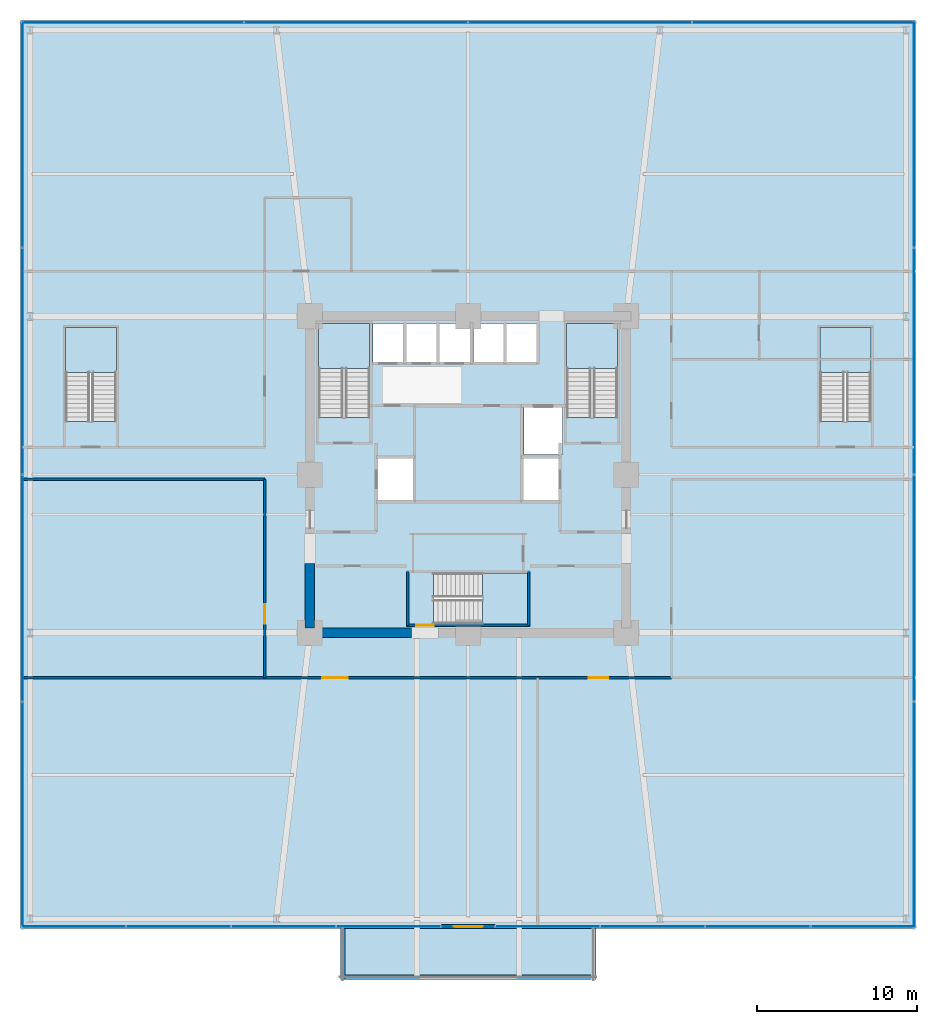
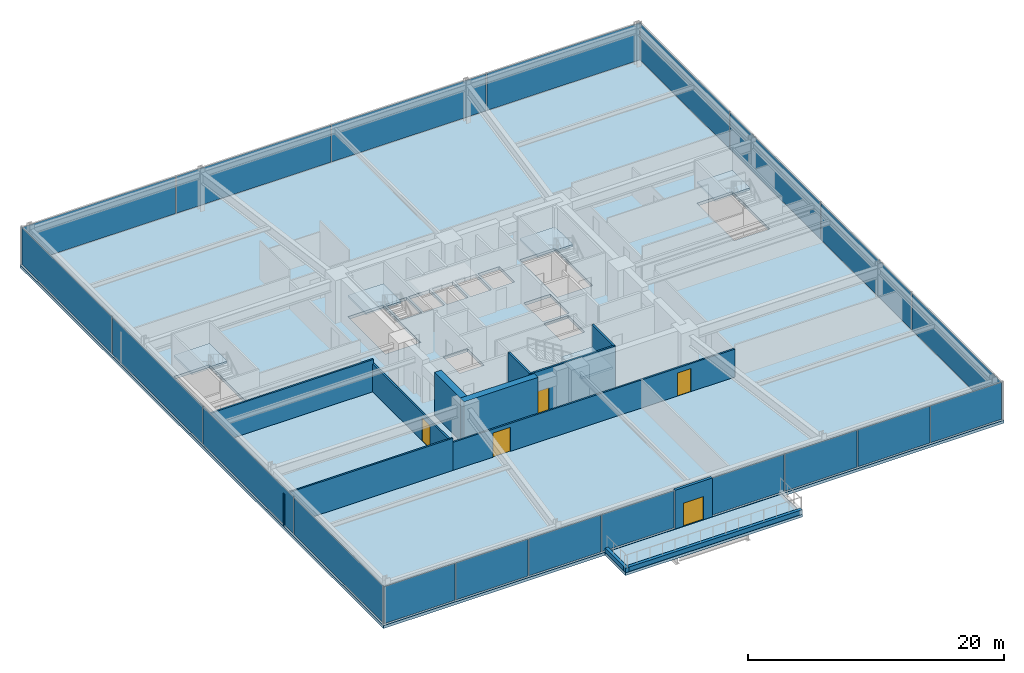
# One storey, part 33 of 39: 20 plates, 12 walls, 7 slabs, 5 doors, 5 openings, 10 elements without a shape of their own.
"""IFC4 building model written with IfcOpenShell, lengths in metres."""

from ifc_helpers import new_model, si_unit, direction, frame, frame_2d, origin, origin_2d, place, context, subcontext, project, spatial, polyline, rectangle, outline, extrude, material, layer, layer_set, type_object, element, fill, aggregate, save


model = new_model("IFC4")

# Units and contexts
model_context = context("Model", 3, precision=1e-05, world=origin(), true_north=direction((0.0, 1.0)))
body_context = subcontext(model_context, "Body", "Model", "MODEL_VIEW")
ifc_project = project(units=[si_unit("LENGTHUNIT", "METRE"), si_unit("AREAUNIT", "SQUARE_METRE"), si_unit("VOLUMEUNIT", "CUBIC_METRE"), si_unit("PLANEANGLEUNIT", "RADIAN"), si_unit("MASSUNIT", "GRAM", prefix="KILO")], contexts=[model_context])

# Site, building, storey
site_placement = place(None, origin())
site = spatial("IfcSite", under=ifc_project, at=site_placement, CompositionType="ELEMENT")
building_placement = place(site_placement, origin())
building = spatial("IfcBuilding", under=site, at=building_placement, Name="Kolvaren Belvedere", CompositionType="ELEMENT")
storey_placement = place(building_placement, frame((0.0, 0.0, 15.199951171875)))
storey = spatial("IfcBuildingStorey", under=building, at=storey_placement, Name="L04", CompositionType="ELEMENT", Elevation=15.199951171875)

# Curtain wall, plates
ifc_material_1 = material(Name="Anodised pale-metal aluminium AA 6063-T6", Category="aluminium")
curtain_wall_type = type_object("IfcCurtainWallType", Name="CW-POD-A", PredefinedType="NOTDEFINED", material=ifc_material_1)
curtain_wall_1_placement = place(storey_placement, origin())
curtain_wall_1 = element("IfcCurtainWall", 1, at=curtain_wall_1_placement, inside=storey, type_object=curtain_wall_type, Name="L04 Unitised Curtain Wall FCW-L04-S1", PredefinedType="NOTDEFINED")
ifc_material_2 = material(Name="Low-iron laminated vision glass", Category="glass")
ifc_layer_1 = layer(ifc_material_2, 0.031982421875)
ifc_layer_set_1 = layer_set([ifc_layer_1], Name="Low-iron laminated vision glass")
plate_type = type_object("IfcPlateType", Name="CW-PNL-VIS32", PredefinedType="CURTAIN_PANEL", material=ifc_layer_set_1)
plate_1_placement = place(storey_placement, frame((24.7099609375, -28.280029296875, 0.080078125), z_axis=(0.0, 0.0, 1.0), x_axis=(-1.0, 0.0, 0.0)))
plate_1 = element("IfcPlate", 2, at=plate_1_placement, type_object=plate_type, Name="FCW-L04-S1 Vision Glazing Panel 1", PredefinedType="CURTAIN_PANEL", context=body_context, shape_type="SweptSolid", body=[
    extrude(rectangle(XDim=6.5, YDim=0.031982421875, at=origin_2d()), origin(), (0.0, 0.0, 1.0), 3.5400390625),
])
plate_2_placement = place(storey_placement, frame((18.1298828125, -28.280029296875, 0.080078125), z_axis=(0.0, 0.0, 1.0), x_axis=(-1.0, 0.0, 0.0)))
plate_2 = element("IfcPlate", 3, at=plate_2_placement, type_object=plate_type, Name="FCW-L04-S1 Vision Glazing Panel 2", PredefinedType="CURTAIN_PANEL", context=body_context, shape_type="SweptSolid", body=[
    extrude(rectangle(XDim=6.5, YDim=0.031982421875, at=origin_2d()), origin(), (0.0, 0.0, 1.0), 3.5400390625),
])
plate_3_placement = place(storey_placement, frame((11.550048828125, -28.280029296875, 0.080078125), z_axis=(0.0, 0.0, 1.0), x_axis=(-1.0, 0.0, 0.0)))
plate_3 = element("IfcPlate", 4, at=plate_3_placement, type_object=plate_type, Name="FCW-L04-S1 Vision Glazing Panel 3", PredefinedType="CURTAIN_PANEL", context=body_context, shape_type="SweptSolid", body=[
    extrude(rectangle(XDim=6.5, YDim=0.031982421875, at=origin_2d()), origin(), (0.0, 0.0, 1.0), 3.5400390625),
])
plate_4_placement = place(storey_placement, frame((4.969970703125, -28.280029296875, 0.080078125), z_axis=(0.0, 0.0, 1.0), x_axis=(-1.0, 0.0, 0.0)))
plate_4 = element("IfcPlate", 5, at=plate_4_placement, type_object=plate_type, Name="FCW-L04-S1 Vision Glazing Panel 4", PredefinedType="CURTAIN_PANEL", context=body_context, shape_type="SweptSolid", body=[
    extrude(rectangle(XDim=6.5, YDim=0.031982421875, at=origin_2d()), origin(), (0.0, 0.0, 1.0), 3.5400390625),
])
aggregate(curtain_wall_1, [plate_1, plate_2, plate_3, plate_4])

curtain_wall_2_placement = place(storey_placement, origin())
curtain_wall_2 = element("IfcCurtainWall", 6, at=curtain_wall_2_placement, inside=storey, type_object=curtain_wall_type, Name="L04 Unitised Curtain Wall FCW-L04-S2", PredefinedType="NOTDEFINED")
plate_5_placement = place(storey_placement, frame((-4.969970703125, -28.280029296875, 0.080078125), z_axis=(0.0, 0.0, 1.0), x_axis=(-1.0, 0.0, 0.0)))
plate_5 = element("IfcPlate", 7, at=plate_5_placement, type_object=plate_type, Name="FCW-L04-S2 Vision Glazing Panel 1", PredefinedType="CURTAIN_PANEL", context=body_context, shape_type="SweptSolid", body=[
    extrude(rectangle(XDim=6.5, YDim=0.031982421875, at=origin_2d()), origin(), (0.0, 0.0, 1.0), 3.5400390625),
])
plate_6_placement = place(storey_placement, frame((-11.550048828125, -28.280029296875, 0.080078125), z_axis=(0.0, 0.0, 1.0), x_axis=(-1.0, 0.0, 0.0)))
plate_6 = element("IfcPlate", 8, at=plate_6_placement, type_object=plate_type, Name="FCW-L04-S2 Vision Glazing Panel 2", PredefinedType="CURTAIN_PANEL", context=body_context, shape_type="SweptSolid", body=[
    extrude(rectangle(XDim=6.5, YDim=0.031982421875, at=origin_2d()), origin(), (0.0, 0.0, 1.0), 3.5400390625),
])
plate_7_placement = place(storey_placement, frame((-18.1298828125, -28.280029296875, 0.080078125), z_axis=(0.0, 0.0, 1.0), x_axis=(-1.0, 0.0, 0.0)))
plate_7 = element("IfcPlate", 9, at=plate_7_placement, type_object=plate_type, Name="FCW-L04-S2 Vision Glazing Panel 3", PredefinedType="CURTAIN_PANEL", context=body_context, shape_type="SweptSolid", body=[
    extrude(rectangle(XDim=6.5, YDim=0.031982421875, at=origin_2d()), origin(), (0.0, 0.0, 1.0), 3.5400390625),
])
plate_8_placement = place(storey_placement, frame((-24.7099609375, -28.280029296875, 0.080078125), z_axis=(0.0, 0.0, 1.0), x_axis=(-1.0, 0.0, 0.0)))
plate_8 = element("IfcPlate", 10, at=plate_8_placement, type_object=plate_type, Name="FCW-L04-S2 Vision Glazing Panel 4", PredefinedType="CURTAIN_PANEL", context=body_context, shape_type="SweptSolid", body=[
    extrude(rectangle(XDim=6.5, YDim=0.031982421875, at=origin_2d()), origin(), (0.0, 0.0, 1.0), 3.5400390625),
])
aggregate(curtain_wall_2, [plate_5, plate_6, plate_7, plate_8])

curtain_wall_3_placement = place(storey_placement, origin())
curtain_wall_3 = element("IfcCurtainWall", 11, at=curtain_wall_3_placement, inside=storey, type_object=curtain_wall_type, Name="L04 Unitised Curtain Wall FCW-L04-E", PredefinedType="NOTDEFINED")
plate_9_placement = place(storey_placement, frame((27.8798828125, 21.300048828125, 0.080078125), z_axis=(0.0, 0.0, 1.0), x_axis=(0.0, -1.0, 0.0)))
plate_9 = element("IfcPlate", 12, at=plate_9_placement, type_object=plate_type, Name="FCW-L04-E Vision Glazing Panel 1", PredefinedType="CURTAIN_PANEL", context=body_context, shape_type="SweptSolid", body=[
    extrude(rectangle(XDim=14.1201171875, YDim=0.031982421875, at=origin_2d()), origin(), (0.0, 0.0, 1.0), 3.5400390625),
])
plate_10_placement = place(storey_placement, frame((27.8798828125, 7.10009765625, 0.080078125), z_axis=(0.0, 0.0, 1.0), x_axis=(0.0, -1.0, 0.0)))
plate_10 = element("IfcPlate", 13, at=plate_10_placement, type_object=plate_type, Name="FCW-L04-E Vision Glazing Panel 2", PredefinedType="CURTAIN_PANEL", context=body_context, shape_type="SweptSolid", body=[
    extrude(rectangle(XDim=14.1201171875, YDim=0.031982421875, at=origin_2d()), origin(), (0.0, 0.0, 1.0), 3.5400390625),
])
plate_11_placement = place(storey_placement, frame((27.8798828125, -7.10009765625, 0.080078125), z_axis=(0.0, 0.0, 1.0), x_axis=(0.0, -1.0, 0.0)))
plate_11 = element("IfcPlate", 14, at=plate_11_placement, type_object=plate_type, Name="FCW-L04-E Vision Glazing Panel 3", PredefinedType="CURTAIN_PANEL", context=body_context, shape_type="SweptSolid", body=[
    extrude(rectangle(XDim=14.1201171875, YDim=0.031982421875, at=origin_2d()), origin(), (0.0, 0.0, 1.0), 3.5400390625),
])
plate_12_placement = place(storey_placement, frame((27.8798828125, -21.300048828125, 0.080078125), z_axis=(0.0, 0.0, 1.0), x_axis=(0.0, -1.0, 0.0)))
plate_12 = element("IfcPlate", 15, at=plate_12_placement, type_object=plate_type, Name="FCW-L04-E Vision Glazing Panel 4", PredefinedType="CURTAIN_PANEL", context=body_context, shape_type="SweptSolid", body=[
    extrude(rectangle(XDim=14.1201171875, YDim=0.031982421875, at=origin_2d()), origin(), (0.0, 0.0, 1.0), 3.5400390625),
])
aggregate(curtain_wall_3, [plate_9, plate_10, plate_11, plate_12])

curtain_wall_4_placement = place(storey_placement, origin())
curtain_wall_4 = element("IfcCurtainWall", 16, at=curtain_wall_4_placement, inside=storey, type_object=curtain_wall_type, Name="L04 Unitised Curtain Wall FCW-L04-N", PredefinedType="NOTDEFINED")
plate_13_placement = place(storey_placement, frame((-21.0, 28.280029296875, 0.080078125), z_axis=(0.0, 0.0, 1.0), x_axis=(1.0, 0.0, 0.0)))
plate_13 = element("IfcPlate", 17, at=plate_13_placement, type_object=plate_type, Name="FCW-L04-N Vision Glazing Panel 1", PredefinedType="CURTAIN_PANEL", context=body_context, shape_type="SweptSolid", body=[
    extrude(rectangle(XDim=13.919921875, YDim=0.031982421875, at=origin_2d()), origin(), (0.0, 0.0, 1.0), 3.5400390625),
])
plate_14_placement = place(storey_placement, frame((-7.0, 28.280029296875, 0.080078125), z_axis=(0.0, 0.0, 1.0), x_axis=(1.0, 0.0, 0.0)))
plate_14 = element("IfcPlate", 18, at=plate_14_placement, type_object=plate_type, Name="FCW-L04-N Vision Glazing Panel 2", PredefinedType="CURTAIN_PANEL", context=body_context, shape_type="SweptSolid", body=[
    extrude(rectangle(XDim=13.919921875, YDim=0.031982421875, at=origin_2d()), origin(), (0.0, 0.0, 1.0), 3.5400390625),
])
plate_15_placement = place(storey_placement, frame((7.0, 28.280029296875, 0.080078125), z_axis=(0.0, 0.0, 1.0), x_axis=(1.0, 0.0, 0.0)))
plate_15 = element("IfcPlate", 19, at=plate_15_placement, type_object=plate_type, Name="FCW-L04-N Vision Glazing Panel 3", PredefinedType="CURTAIN_PANEL", context=body_context, shape_type="SweptSolid", body=[
    extrude(rectangle(XDim=13.919921875, YDim=0.031982421875, at=origin_2d()), origin(), (0.0, 0.0, 1.0), 3.5400390625),
])
plate_16_placement = place(storey_placement, frame((21.0, 28.280029296875, 0.080078125), z_axis=(0.0, 0.0, 1.0), x_axis=(1.0, 0.0, 0.0)))
plate_16 = element("IfcPlate", 20, at=plate_16_placement, type_object=plate_type, Name="FCW-L04-N Vision Glazing Panel 4", PredefinedType="CURTAIN_PANEL", context=body_context, shape_type="SweptSolid", body=[
    extrude(rectangle(XDim=13.919921875, YDim=0.031982421875, at=origin_2d()), origin(), (0.0, 0.0, 1.0), 3.5400390625),
])
aggregate(curtain_wall_4, [plate_13, plate_14, plate_15, plate_16])

curtain_wall_5_placement = place(storey_placement, origin())
curtain_wall_5 = element("IfcCurtainWall", 21, at=curtain_wall_5_placement, inside=storey, type_object=curtain_wall_type, Name="L04 Unitised Curtain Wall FCW-L04-W", PredefinedType="NOTDEFINED")
plate_17_placement = place(storey_placement, frame((-27.8798828125, -21.300048828125, 0.080078125), z_axis=(0.0, 0.0, 1.0), x_axis=(0.0, 1.0, 0.0)))
plate_17 = element("IfcPlate", 22, at=plate_17_placement, type_object=plate_type, Name="FCW-L04-W Vision Glazing Panel 1", PredefinedType="CURTAIN_PANEL", context=body_context, shape_type="SweptSolid", body=[
    extrude(rectangle(XDim=14.1201171875, YDim=0.031982421875, at=origin_2d()), origin(), (0.0, 0.0, 1.0), 3.5400390625),
])
plate_18_placement = place(storey_placement, frame((-27.8798828125, -7.10009765625, 0.080078125), z_axis=(0.0, 0.0, 1.0), x_axis=(0.0, 1.0, 0.0)))
plate_18 = element("IfcPlate", 23, at=plate_18_placement, type_object=plate_type, Name="FCW-L04-W Vision Glazing Panel 2", PredefinedType="CURTAIN_PANEL", context=body_context, shape_type="SweptSolid", body=[
    extrude(rectangle(XDim=14.1201171875, YDim=0.031982421875, at=origin_2d()), origin(), (0.0, 0.0, 1.0), 3.5400390625),
])
plate_19_placement = place(storey_placement, frame((-27.8798828125, 7.10009765625, 0.080078125), z_axis=(0.0, 0.0, 1.0), x_axis=(0.0, 1.0, 0.0)))
plate_19 = element("IfcPlate", 24, at=plate_19_placement, type_object=plate_type, Name="FCW-L04-W Vision Glazing Panel 3", PredefinedType="CURTAIN_PANEL", context=body_context, shape_type="SweptSolid", body=[
    extrude(rectangle(XDim=14.1201171875, YDim=0.031982421875, at=origin_2d()), origin(), (0.0, 0.0, 1.0), 3.5400390625),
])
plate_20_placement = place(storey_placement, frame((-27.8798828125, 21.300048828125, 0.080078125), z_axis=(0.0, 0.0, 1.0), x_axis=(0.0, 1.0, 0.0)))
plate_20 = element("IfcPlate", 25, at=plate_20_placement, type_object=plate_type, Name="FCW-L04-W Vision Glazing Panel 4", PredefinedType="CURTAIN_PANEL", context=body_context, shape_type="SweptSolid", body=[
    extrude(rectangle(XDim=14.1201171875, YDim=0.031982421875, at=origin_2d()), origin(), (0.0, 0.0, 1.0), 3.5400390625),
])
aggregate(curtain_wall_5, [plate_17, plate_18, plate_19, plate_20])

# Slab
ifc_material_3 = material(Name="Concrete C50/60", Category="concrete")
ifc_layer_2 = layer(ifc_material_3, 0.280029296875)
ifc_layer_set_2 = layer_set([ifc_layer_2], Name="Concrete C50/60")
slab_type_1 = type_object("IfcSlabType", Name="SL-FLR-280", PredefinedType="FLOOR", material=ifc_layer_set_2)
slab_1_placement = place(storey_placement, frame((0.0, 0.0, -0.280029296875)))
element("IfcSlab", 26, at=slab_1_placement, inside=storey, type_object=slab_type_1, Name="L04 Primary Structural Slab", PredefinedType="FLOOR", context=body_context, shape_type="SweptSolid", body=[
    extrude(outline(polyline([(-28.0, -28.39990234375), (28.0, -28.39990234375), (28.0, 28.39990234375), (-28.0, 28.39990234375), (-28.0, -28.39990234375)]), holes=[polyline([(-9.35009765625, 3.580078125), (-6.159912109375, 3.580078125), (-6.159912109375, 9.449951171875), (-9.35009765625, 9.449951171875), (-9.35009765625, 3.580078125)]), polyline([(6.159912109375, 3.580078125), (9.35009765625, 3.580078125), (9.35009765625, 9.449951171875), (6.159912109375, 9.449951171875), (6.159912109375, 3.580078125)]), polyline([(-2.169921875, -9.35009765625), (3.699951171875, -9.35009765625), (3.699951171875, -6.159912109375), (-2.169921875, -6.159912109375), (-2.169921875, -9.35009765625)]), polyline([(-25.199951171875, 3.330078125), (-22.010009765625, 3.330078125), (-22.010009765625, 9.199951171875), (-25.199951171875, 9.199951171875), (-25.199951171875, 3.330078125)]), polyline([(22.010009765625, 3.330078125), (25.199951171875, 3.330078125), (25.199951171875, 9.199951171875), (22.010009765625, 9.199951171875), (22.010009765625, 3.330078125)]), polyline([(-5.64990234375, -1.60009765625), (-3.449951171875, -1.60009765625), (-3.449951171875, 1.0), (-5.64990234375, 1.0), (-5.64990234375, -1.60009765625)]), polyline([(3.5, 1.25), (5.89990234375, 1.25), (5.89990234375, 4.199951171875), (3.5, 4.199951171875), (3.5, 1.25)]), polyline([(3.449951171875, -1.60009765625), (5.64990234375, -1.60009765625), (5.64990234375, 1.0), (3.449951171875, 1.0), (3.449951171875, -1.60009765625)]), polyline([(-5.9599609375, 7.050048828125), (-4.06005859375, 7.050048828125), (-4.06005859375, 9.449951171875), (-5.9599609375, 9.449951171875), (-5.9599609375, 7.050048828125)]), polyline([(-3.8798828125, 7.050048828125), (-1.97998046875, 7.050048828125), (-1.97998046875, 9.449951171875), (-3.8798828125, 9.449951171875), (-3.8798828125, 7.050048828125)]), polyline([(-1.800048828125, 7.050048828125), (0.10009765625, 7.050048828125), (0.10009765625, 9.449951171875), (-1.800048828125, 9.449951171875), (-1.800048828125, 7.050048828125)]), polyline([(0.320068359375, 7.050048828125), (2.219970703125, 7.050048828125), (2.219970703125, 9.449951171875), (0.320068359375, 9.449951171875), (0.320068359375, 7.050048828125)]), polyline([(2.39990234375, 7.050048828125), (4.300048828125, 7.050048828125), (4.300048828125, 9.449951171875), (2.39990234375, 9.449951171875), (2.39990234375, 7.050048828125)])]), origin(), (0.0, 0.0, 1.0), 0.280029296875),
])

# Stair, slab
ifc_material_4 = material(Name="Concrete C50/60", Category="concrete")
stair_type_1 = type_object("IfcStairType", Name="ST-CORE-1520", PredefinedType="HALF_TURN_STAIR", material=ifc_material_4)
stair_1_placement = place(storey_placement, origin())
stair_1 = element("IfcStair", 27, at=stair_1_placement, inside=storey, type_object=stair_type_1, Name="L04 Protected Exit Stair ST-1", PredefinedType="HALF_TURN_STAIR")
ifc_material_5 = material(Name="Concrete C50/60", Category="concrete")
ifc_layer_3 = layer(ifc_material_5, 0.260009765625)
ifc_layer_set_3 = layer_set([ifc_layer_3], Name="Concrete C50/60")
slab_type_2 = type_object("IfcSlabType", Name="SL-LAND-260", PredefinedType="LANDING", material=ifc_layer_set_3)
slab_2_placement = place(storey_placement, frame((0.0, 0.0, 1.85009765625)))
slab_2 = element("IfcSlab", 28, at=slab_2_placement, type_object=slab_type_2, Name="ST-1 landing 1", PredefinedType="LANDING", context=body_context, shape_type="SweptSolid", body=[
    extrude(outline(polyline([(-6.159912109375, 6.64990234375), (-6.159912109375, 9.449951171875), (-9.35009765625, 9.449951171875), (-9.35009765625, 6.64990234375), (-6.159912109375, 6.64990234375)])), origin(), (0.0, 0.0, 1.0), 0.199951171875),
])
aggregate(stair_1, [slab_2])

stair_2_placement = place(storey_placement, origin())
stair_2 = element("IfcStair", 29, at=stair_2_placement, inside=storey, type_object=stair_type_1, Name="L04 Protected Exit Stair ST-2", PredefinedType="HALF_TURN_STAIR")
slab_3_placement = place(storey_placement, frame((0.0, 0.0, 1.85009765625)))
slab_3 = element("IfcSlab", 30, at=slab_3_placement, type_object=slab_type_2, Name="ST-2 landing 1", PredefinedType="LANDING", context=body_context, shape_type="SweptSolid", body=[
    extrude(outline(polyline([(9.35009765625, 6.64990234375), (9.35009765625, 9.449951171875), (6.159912109375, 9.449951171875), (6.159912109375, 6.64990234375), (9.35009765625, 6.64990234375)])), origin(), (0.0, 0.0, 1.0), 0.199951171875),
])
aggregate(stair_2, [slab_3])

stair_3_placement = place(storey_placement, origin())
stair_3 = element("IfcStair", 31, at=stair_3_placement, inside=storey, type_object=stair_type_1, Name="L04 Protected Exit Stair ST-3", PredefinedType="HALF_TURN_STAIR")
slab_4_placement = place(storey_placement, frame((0.0, 0.0, 1.85009765625)))
slab_4 = element("IfcSlab", 32, at=slab_4_placement, type_object=slab_type_2, Name="ST-3 landing 1", PredefinedType="LANDING", context=body_context, shape_type="SweptSolid", body=[
    extrude(outline(polyline([(0.89990234375, -9.35009765625), (3.699951171875, -9.35009765625), (3.699951171875, -6.159912109375), (0.89990234375, -6.159912109375), (0.89990234375, -9.35009765625)])), origin(), (0.0, 0.0, 1.0), 0.199951171875),
])
aggregate(stair_3, [slab_4])

ifc_material_6 = material(Name="Concrete C50/60", Category="concrete")
stair_type_2 = type_object("IfcStairType", Name="ST-POD-1520", PredefinedType="HALF_TURN_STAIR", material=ifc_material_6)
stair_4_placement = place(storey_placement, origin())
stair_4 = element("IfcStair", 33, at=stair_4_placement, inside=storey, type_object=stair_type_2, Name="L04 Podium Exit Stair ST-P1", PredefinedType="HALF_TURN_STAIR")
slab_5_placement = place(storey_placement, frame((0.0, 0.0, 1.85009765625)))
slab_5 = element("IfcSlab", 34, at=slab_5_placement, type_object=slab_type_2, Name="ST-P1 landing 1", PredefinedType="LANDING", context=body_context, shape_type="SweptSolid", body=[
    extrude(outline(polyline([(-22.010009765625, 6.39990234375), (-22.010009765625, 9.199951171875), (-25.199951171875, 9.199951171875), (-25.199951171875, 6.39990234375), (-22.010009765625, 6.39990234375)])), origin(), (0.0, 0.0, 1.0), 0.199951171875),
])
aggregate(stair_4, [slab_5])

stair_5_placement = place(storey_placement, origin())
stair_5 = element("IfcStair", 35, at=stair_5_placement, inside=storey, type_object=stair_type_2, Name="L04 Podium Exit Stair ST-P2", PredefinedType="HALF_TURN_STAIR")
slab_6_placement = place(storey_placement, frame((0.0, 0.0, 1.85009765625)))
slab_6 = element("IfcSlab", 36, at=slab_6_placement, type_object=slab_type_2, Name="ST-P2 landing 1", PredefinedType="LANDING", context=body_context, shape_type="SweptSolid", body=[
    extrude(outline(polyline([(25.199951171875, 6.39990234375), (25.199951171875, 9.199951171875), (22.010009765625, 9.199951171875), (22.010009765625, 6.39990234375), (25.199951171875, 6.39990234375)])), origin(), (0.0, 0.0, 1.0), 0.199951171875),
])
aggregate(stair_5, [slab_6])

# Slab
ifc_material_7 = material(Name="Concrete C50/60", Category="concrete")
ifc_layer_4 = layer(ifc_material_7, 0.260009765625)
ifc_layer_set_4 = layer_set([ifc_layer_4], Name="Concrete C50/60")
slab_type_3 = type_object("IfcSlabType", Name="SL-TERR-260", PredefinedType="FLOOR", material=ifc_layer_set_4)
slab_7_placement = place(storey_placement, frame((0.0, 0.0, -0.280029296875)))
element("IfcSlab", 37, at=slab_7_placement, inside=storey, type_object=slab_type_3, Name="L04 Planted Sky Terrace POD-TERR-S", PredefinedType="FLOOR", context=body_context, shape_type="SweptSolid", body=[
    extrude(outline(polyline([(-8.0, -31.60009765625), (8.0, -31.60009765625), (8.0, -28.39990234375), (-8.0, -28.39990234375), (-8.0, -31.60009765625)])), origin(), (0.0, 0.0, 1.0), 0.260009765625),
])

# Walls
ifc_material_8 = material(Name="Concrete C60/75", Category="concrete")
ifc_layer_5 = layer(ifc_material_8, 0.60009765625)
ifc_layer_set_5 = layer_set([ifc_layer_5], Name="Concrete C60/75")
wall_type_1 = type_object("IfcWallType", Name="CW-CORE-600", PredefinedType="SHEAR", material=ifc_layer_set_5)
wall_1_placement = place(storey_placement, frame((-3.5400390625, -9.89990234375, 0.0), z_axis=(0.0, 0.0, 1.0), x_axis=(-1.0, 0.0, 0.0)))
element("IfcWall", 38, at=wall_1_placement, inside=storey, type_object=wall_type_1, Name="L04 South Core Shear Wall 2", PredefinedType="SHEAR", context=body_context, shape_type="SweptSolid", body=[
    extrude(rectangle(XDim=6.659912109375, YDim=0.60009765625, at=frame_2d((3.330078125, 0.0))), origin(), (0.0, 0.0, 1.0), 4.10009765625),
])
wall_2_placement = place(storey_placement, frame((-9.89990234375, -9.60009765625, 0.0), z_axis=(0.0, 0.0, 1.0), x_axis=(0.0, 1.0, 0.0)))
element("IfcWall", 39, at=wall_2_placement, inside=storey, type_object=wall_type_1, Name="L04 West Core Shear Wall 1", PredefinedType="SHEAR", context=body_context, shape_type="SweptSolid", body=[
    extrude(rectangle(XDim=4.050048828125, YDim=0.60009765625, at=frame_2d((2.02490234375, 0.0))), origin(), (0.0, 0.0, 1.0), 4.10009765625),
])

# Wall, opening, door
ifc_material_9 = material(Name="Concrete C50/60", Category="concrete")
ifc_layer_6 = layer(ifc_material_9, 0.159912109375)
ifc_layer_set_6 = layer_set([ifc_layer_6], Name="Concrete C50/60")
wall_type_2 = type_object("IfcWallType", Name="CW-STAIR-160", PredefinedType="SHEAR", material=ifc_layer_set_6)
wall_3_placement = place(storey_placement, frame((3.860107421875, -9.429931640625, 0.0), z_axis=(0.0, 0.0, 1.0), x_axis=(-1.0, 0.0, 0.0)))
wall_3 = element("IfcWall", 40, at=wall_3_placement, inside=storey, type_object=wall_type_2, Name="L04 Stair ST-3 South Shear Wall", PredefinedType="SHEAR", context=body_context, shape_type="SweptSolid", body=[
    extrude(rectangle(XDim=7.72021484375, YDim=0.159912109375, at=frame_2d((3.860107421875, 0.0))), origin(), (0.0, 0.0, 1.0), 4.10009765625),
])
opening_1_placement = place(wall_3_placement, frame((6.010009765625, 0.0, 0.0)))
opening_1 = element("IfcOpeningElement", 41, at=opening_1_placement, cuts=wall_3, Name="Opening D-FD90", PredefinedType="OPENING", context=body_context, shape_type="SweptSolid", body=[
    extrude(rectangle(XDim=1.10009765625, YDim=2.199951171875, at=frame_2d((0.550048828125, 1.10009765625))), frame((0.0, 0.08984375, 0.0), z_axis=(0.0, -1.0, 0.0), x_axis=(1.0, 0.0, 0.0)), (0.0, 0.0, 1.0), 0.179931640625),
])
ifc_material_10 = material(Name="Painted hollow stainless steel", Category="steel")
door_type_1 = type_object("IfcDoorType", Name="DR-FD90-1100", OperationType="NOTDEFINED", PredefinedType="DOOR", material=ifc_material_10)
door_1_placement = place(opening_1_placement, origin())
door_1 = element("IfcDoor", 42, at=door_1_placement, inside=storey, type_object=door_type_1, Name="L04 Stair ST-3 Exit Door", OperationType="SINGLE_SWING_RIGHT", OverallHeight=2.199951171875, OverallWidth=1.10009765625, PredefinedType="DOOR", context=body_context, shape_type="SweptSolid", body=[
    extrude(rectangle(XDim=1.10009765625, YDim=2.199951171875, at=frame_2d((0.550048828125, 1.10009765625))), frame((0.0, 0.02490234375, 0.0), z_axis=(0.0, -1.0, 0.0), x_axis=(1.0, 0.0, 0.0)), (0.0, 0.0, 1.0), 0.050048828125),
])
fill(opening_1, door_1)

# Walls
for number, where, z_axis, x_axis, name in (
    (43, (-3.780029296875, -9.429931640625, 0.0), (0.0, 0.0, 1.0), (0.0, 1.0, 0.0), "L04 Stair ST-3 West Shear Wall"),
    (44, (3.780029296875, -9.429931640625, 0.0), (0.0, 0.0, 1.0), (0.0, 1.0, 0.0), "L04 Stair ST-3 East Shear Wall"),
):
    element("IfcWall", number, at=place(storey_placement, frame(where, z_axis=z_axis, x_axis=x_axis)), inside=storey, type_object=wall_type_2, Name=name, PredefinedType="SHEAR", context=body_context, shape_type="SweptSolid", body=[
        extrude(rectangle(XDim=3.349853515625, YDim=0.159912109375, at=frame_2d((1.6748046875, 0.0))), origin(), (0.0, 0.0, 1.0), 4.10009765625),
    ])

# Wall, openings, doors
ifc_material_11 = material(Name="Gypsum fire-rated partition assembly", Category="gypsum")
ifc_layer_7 = layer(ifc_material_11, 0.14990234375)
ifc_layer_set_7 = layer_set([ifc_layer_7], Name="Gypsum fire-rated partition assembly")
wall_type_3 = type_object("IfcWallType", Name="WL-CORR-150", PredefinedType="PARTITIONING", material=ifc_layer_set_7)
wall_4_placement = place(storey_placement, frame((-12.719970703125, -12.719970703125, 0.0), z_axis=(0.0, 0.0, 1.0), x_axis=(1.0, 0.0, 0.0)))
wall_4 = element("IfcWall", 45, at=wall_4_placement, inside=storey, type_object=wall_type_3, Name="L04 South Corridor Wall", PredefinedType="PARTITIONING", context=body_context, shape_type="SweptSolid", body=[
    extrude(rectangle(XDim=25.43994140625, YDim=0.14990234375, at=frame_2d((12.719970703125, 0.0))), origin(), (0.0, 0.0, 1.0), 2.674072265625),
])
opening_2_placement = place(wall_4_placement, frame((3.60009765625, 0.0, 0.0)))
opening_2 = element("IfcOpeningElement", 46, at=opening_2_placement, cuts=wall_4, Name="Opening D-GL16", PredefinedType="OPENING", context=body_context, shape_type="SweptSolid", body=[
    extrude(rectangle(XDim=1.60009765625, YDim=2.300048828125, at=frame_2d((0.800048828125, 1.14990234375))), frame((0.0, 0.0849609375, 0.0), z_axis=(0.0, -1.0, 0.0), x_axis=(1.0, 0.0, 0.0)), (0.0, 0.0, 1.0), 0.169921875),
])
opening_3_placement = place(wall_4_placement, frame((20.27001953125, 0.0, 0.0)))
opening_3 = element("IfcOpeningElement", 47, at=opening_3_placement, cuts=wall_4, Name="Opening D-GL12", PredefinedType="OPENING", context=body_context, shape_type="SweptSolid", body=[
    extrude(rectangle(XDim=1.199951171875, YDim=2.199951171875, at=frame_2d((0.60009765625, 1.10009765625))), frame((0.0, 0.0849609375, 0.0), z_axis=(0.0, -1.0, 0.0), x_axis=(1.0, 0.0, 0.0)), (0.0, 0.0, 1.0), 0.169921875),
])
ifc_material_12 = material(Name="Anodised pale-metal aluminium & safety glass", Category="aluminium")
door_type_2 = type_object("IfcDoorType", Name="DR-GLAZ-1200", OperationType="DOUBLE_DOOR_SINGLE_SWING", PredefinedType="DOOR", material=ifc_material_12)
door_2_placement = place(opening_3_placement, origin())
door_2 = element("IfcDoor", 48, at=door_2_placement, inside=storey, type_object=door_type_2, Name="L04 Hydrotherapy & Vitality Lounge Door", OperationType="DOUBLE_DOOR_SINGLE_SWING", OverallHeight=2.199951171875, OverallWidth=1.199951171875, PredefinedType="DOOR", context=body_context, shape_type="SweptSolid", body=[
    extrude(rectangle(XDim=1.199951171875, YDim=2.199951171875, at=frame_2d((0.60009765625, 1.10009765625))), frame((0.0, 0.02490234375, 0.0), z_axis=(0.0, -1.0, 0.0), x_axis=(1.0, 0.0, 0.0)), (0.0, 0.0, 1.0), 0.050048828125),
])
fill(opening_3, door_2)
ifc_material_13 = material(Name="Anodised pale-metal aluminium & safety glass", Category="aluminium")
door_type_3 = type_object("IfcDoorType", Name="DR-GLAZ-1600", OperationType="DOUBLE_DOOR_SINGLE_SWING", PredefinedType="DOOR", material=ifc_material_13)
door_3_placement = place(opening_2_placement, origin())
door_3 = element("IfcDoor", 49, at=door_3_placement, inside=storey, type_object=door_type_3, Name="L04 Botanical Wellness Spa Conservatory Door", OperationType="DOUBLE_DOOR_SINGLE_SWING", OverallHeight=2.300048828125, OverallWidth=1.60009765625, PredefinedType="DOOR", context=body_context, shape_type="SweptSolid", body=[
    extrude(rectangle(XDim=1.60009765625, YDim=2.300048828125, at=frame_2d((0.800048828125, 1.14990234375))), frame((0.0, 0.02490234375, 0.0), z_axis=(0.0, -1.0, 0.0), x_axis=(1.0, 0.0, 0.0)), (0.0, 0.0, 1.0), 0.050048828125),
])
fill(opening_2, door_3)

# Wall, opening, door
wall_5_placement = place(storey_placement, frame((-12.719970703125, -12.719970703125, 0.0), z_axis=(0.0, 0.0, 1.0), x_axis=(0.0, 1.0, 0.0)))
wall_5 = element("IfcWall", 50, at=wall_5_placement, inside=storey, type_object=wall_type_3, Name="L04 West Corridor Wall S", PredefinedType="PARTITIONING", context=body_context, shape_type="SweptSolid", body=[
    extrude(rectangle(XDim=12.419921875, YDim=0.14990234375, at=frame_2d((6.2099609375, 0.0))), origin(), (0.0, 0.0, 1.0), 2.674072265625),
])
opening_4_placement = place(wall_5_placement, frame((3.39990234375, 0.0, 0.0)))
opening_4 = element("IfcOpeningElement", 51, at=opening_4_placement, cuts=wall_5, Name="Opening D-GL12", PredefinedType="OPENING", context=body_context, shape_type="SweptSolid", body=[
    extrude(rectangle(XDim=1.199951171875, YDim=2.199951171875, at=frame_2d((0.60009765625, 1.10009765625))), frame((0.0, 0.0849609375, 0.0), z_axis=(0.0, -1.0, 0.0), x_axis=(1.0, 0.0, 0.0)), (0.0, 0.0, 1.0), 0.169921875),
])
door_4_placement = place(opening_4_placement, origin())
door_4 = element("IfcDoor", 52, at=door_4_placement, inside=storey, type_object=door_type_2, Name="L04 South-West Pre-Function Lounge Door", OperationType="DOUBLE_DOOR_SINGLE_SWING", OverallHeight=2.199951171875, OverallWidth=1.199951171875, PredefinedType="DOOR", context=body_context, shape_type="SweptSolid", body=[
    extrude(rectangle(XDim=1.199951171875, YDim=2.199951171875, at=frame_2d((0.60009765625, 1.10009765625))), frame((0.0, 0.02490234375, 0.0), z_axis=(0.0, -1.0, 0.0), x_axis=(1.0, 0.0, 0.0)), (0.0, 0.0, 1.0), 0.050048828125),
])
fill(opening_4, door_4)

# Walls
wall_6_placement = place(storey_placement, frame((-27.8798828125, -0.300048828125, 0.0), z_axis=(0.0, 0.0, 1.0), x_axis=(1.0, 0.0, 0.0)))
element("IfcWall", 53, at=wall_6_placement, inside=storey, type_object=wall_type_3, Name="L04 West Stair Spur South Wall", PredefinedType="PARTITIONING", context=body_context, shape_type="SweptSolid", body=[
    extrude(rectangle(XDim=15.159912109375, YDim=0.14990234375, at=frame_2d((7.580078125, 0.0))), origin(), (0.0, 0.0, 1.0), 3.069091796875),
])
wall_7_placement = place(storey_placement, frame((-27.97998046875, -12.719970703125, 0.0), z_axis=(0.0, 0.0, 1.0), x_axis=(1.0, 0.0, 0.0)))
element("IfcWall", 54, at=wall_7_placement, inside=storey, type_object=wall_type_3, Name="L04 Sector Wall PW-L04-QSW", PredefinedType="PARTITIONING", context=body_context, shape_type="SweptSolid", body=[
    extrude(rectangle(XDim=15.260009765625, YDim=0.14990234375, at=frame_2d((7.6298828125, 0.0))), origin(), (0.0, 0.0, 1.0), 3.069091796875),
])

# Wall, opening, door
ifc_material_14 = material(Name="Insulated pale-metal facade wall assembly", Category="aluminium")
ifc_layer_8 = layer(ifc_material_14, 0.239990234375)
ifc_layer_set_8 = layer_set([ifc_layer_8], Name="Insulated pale-metal facade wall assembly")
wall_type_4 = type_object("IfcWallType", Name="WL-EXT-240", PredefinedType="STANDARD", material=ifc_layer_set_8)
wall_8_placement = place(storey_placement, frame((1.679931640625, -28.280029296875, 0.0), z_axis=(0.0, 0.0, 1.0), x_axis=(-1.0, 0.0, 0.0)))
wall_8 = element("IfcWall", 55, at=wall_8_placement, inside=storey, type_object=wall_type_4, Name="L04 South Terrace Portal Wall", PredefinedType="STANDARD", context=body_context, shape_type="SweptSolid", body=[
    extrude(rectangle(XDim=3.35986328125, YDim=0.239990234375, at=frame_2d((1.679931640625, 0.0))), origin(), (0.0, 0.0, 1.0), 3.699951171875),
])
opening_5_placement = place(wall_8_placement, frame((0.780029296875, 0.0, 0.0)))
opening_5 = element("IfcOpeningElement", 56, at=opening_5_placement, cuts=wall_8, Name="Opening DB-1800", PredefinedType="OPENING", context=body_context, shape_type="SweptSolid", body=[
    extrude(rectangle(XDim=1.800048828125, YDim=2.199951171875, at=frame_2d((0.89990234375, 1.10009765625))), frame((0.0, 0.1298828125, 0.0), z_axis=(0.0, -1.0, 0.0), x_axis=(1.0, 0.0, 0.0)), (0.0, 0.0, 1.0), 0.260009765625),
])
ifc_material_15 = material(Name="Thermally broken pale-metal aluminium & low-iron glass", Category="aluminium")
door_type_4 = type_object("IfcDoorType", Name="DR-BAL-1800", OperationType="DOUBLE_DOOR_SLIDING", PredefinedType="DOOR", material=ifc_material_15)
door_5_placement = place(opening_5_placement, origin())
door_5 = element("IfcDoor", 57, at=door_5_placement, inside=storey, type_object=door_type_4, Name="L04 South Planted Terrace Sliding Door", OperationType="DOUBLE_DOOR_SLIDING", OverallHeight=2.199951171875, OverallWidth=1.800048828125, PredefinedType="DOOR", context=body_context, shape_type="SweptSolid", body=[
    extrude(rectangle(XDim=1.800048828125, YDim=2.199951171875, at=frame_2d((0.89990234375, 1.10009765625))), frame((0.0, 0.02490234375, 0.0), z_axis=(0.0, -1.0, 0.0), x_axis=(1.0, 0.0, 0.0)), (0.0, 0.0, 1.0), 0.050048828125),
])
fill(opening_5, door_5)

# Walls
ifc_material_16 = material(Name="Precast concrete C40/50", Category="concrete")
ifc_layer_9 = layer(ifc_material_16, 0.300048828125)
ifc_layer_set_9 = layer_set([ifc_layer_9], Name="Precast concrete C40/50")
wall_type_5 = type_object("IfcWallType", Name="WL-PLANTER-300", PredefinedType="PARAPET", material=ifc_layer_set_9)
wall_9_placement = place(storey_placement, frame((-8.0, -31.43994140625, -0.02001953125), z_axis=(0.0, 0.0, 1.0), x_axis=(1.0, 0.0, 0.0)))
element("IfcWall", 58, at=wall_9_placement, inside=storey, type_object=wall_type_5, Name="L04 Precast Structural Planter Wall POD-TERR-S-1", PredefinedType="PARAPET", context=body_context, shape_type="SweptSolid", body=[
    extrude(rectangle(XDim=16.0, YDim=0.280029296875, at=frame_2d((8.0, 0.0))), origin(), (0.0, 0.0, 1.0), 0.420166015625),
])
wall_10_placement = place(storey_placement, frame((-7.840087890625, -28.39990234375, -0.02001953125), z_axis=(0.0, 0.0, 1.0), x_axis=(0.0, -1.0, 0.0)))
element("IfcWall", 59, at=wall_10_placement, inside=storey, type_object=wall_type_5, Name="L04 Precast Structural Planter Wall POD-TERR-S-4", PredefinedType="PARAPET", context=body_context, shape_type="SweptSolid", body=[
    extrude(rectangle(XDim=3.2001953125, YDim=0.280029296875, at=frame_2d((1.60009765625, 0.0))), origin(), (0.0, 0.0, 1.0), 0.420166015625),
])

save(model, "model.ifc")
